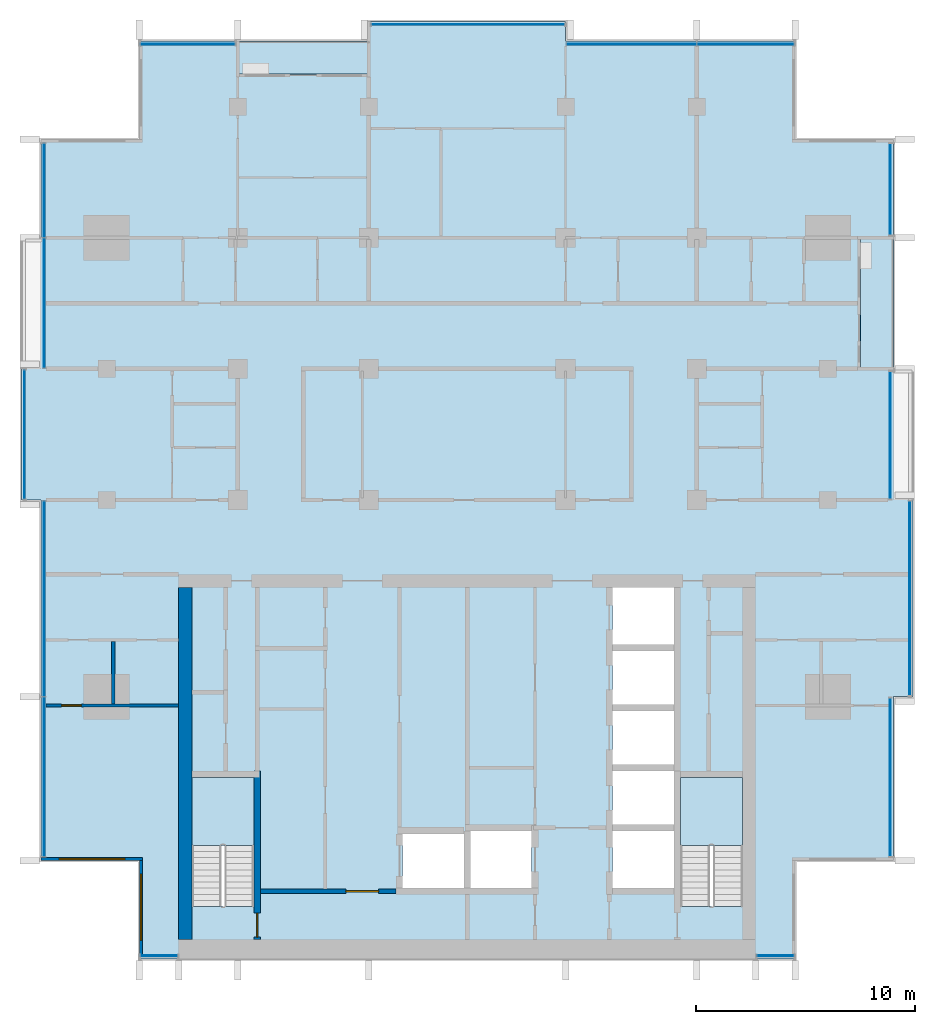
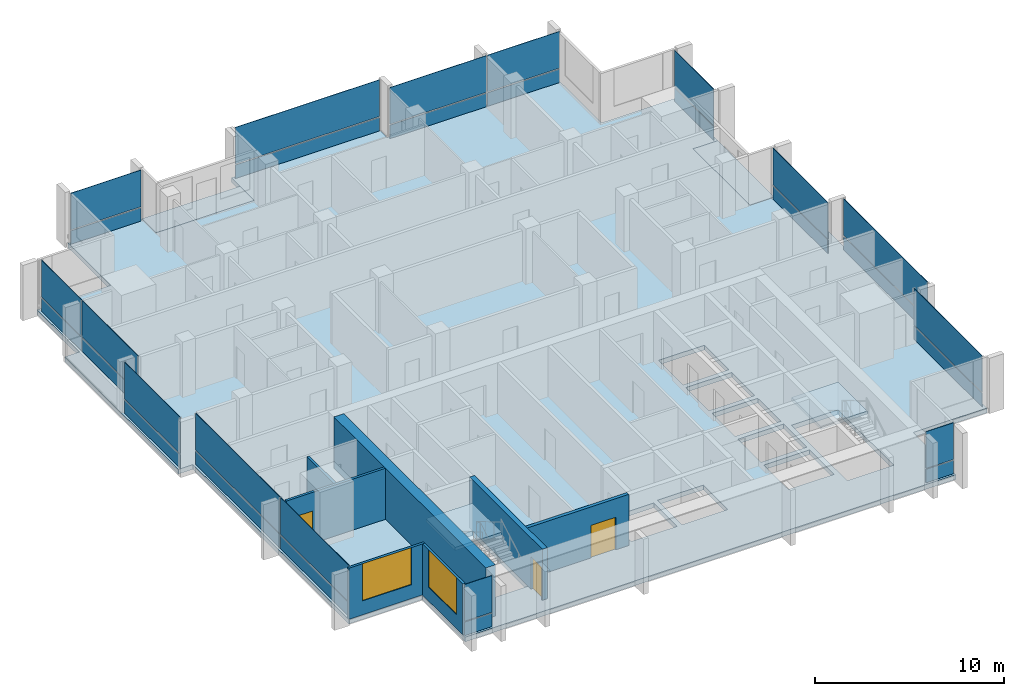
# One storey, part 6 of 16: 30 plates, 7 walls, 5 slabs, 3 doors, 2 windows, 5 openings, 14 elements without a shape of their own.
"""IFC4 building model written with IfcOpenShell, lengths in metres."""

from ifc_helpers import new_model, si_unit, direction, frame, frame_2d, origin, origin_2d, place, context, subcontext, project, spatial, polyline, rectangle, outline, extrude, material, layer, layer_set, type_object, element, fill, aggregate, save


model = new_model("IFC4")

# Units and contexts
model_context = context("Model", 3, precision=1e-05, world=origin(), true_north=direction((0.0, 1.0)))
body_context = subcontext(model_context, "Body", "Model", "MODEL_VIEW")
ifc_project = project(units=[si_unit("LENGTHUNIT", "METRE"), si_unit("AREAUNIT", "SQUARE_METRE"), si_unit("VOLUMEUNIT", "CUBIC_METRE"), si_unit("PLANEANGLEUNIT", "RADIAN"), si_unit("MASSUNIT", "GRAM", prefix="KILO")], contexts=[model_context])

# Site, building, storey
site_placement = place(None, origin())
site = spatial("IfcSite", under=ifc_project, at=site_placement, CompositionType="ELEMENT")
building_placement = place(site_placement, origin())
building = spatial("IfcBuilding", under=site, at=building_placement, Name="Finial Court Residences", CompositionType="ELEMENT")
storey_placement = place(building_placement, frame((0.0, 0.0, 237.5)))
storey = spatial("IfcBuildingStorey", under=building, at=storey_placement, Name="L60", CompositionType="ELEMENT", Elevation=237.5)

# Slabs
ifc_material_1 = material(Name="Concrete C35/45", Category="concrete")
ifc_layer_1 = layer(ifc_material_1, 0.199951171875)
ifc_layer_set_1 = layer_set([ifc_layer_1], Name="Balcony slab, Concrete C35/45 200")
slab_type_1 = type_object("IfcSlabType", Name="Balcony slab, Concrete C35/45 200", PredefinedType="FLOOR", material=ifc_layer_set_1)
slab_1_placement = place(storey_placement, frame((0.0, 0.0, -0.199951171875)))
element("IfcSlab", 1, at=slab_1_placement, inside=storey, type_object=slab_type_1, Name="Balcony L60-N2", PredefinedType="FLOOR", context=body_context, shape_type="SweptSolid", body=[
    extrude(outline(polyline([(-4.5, 15.0), (-4.5, 16.5), (-10.5, 16.5), (-10.5, 15.0), (-4.5, 15.0)])), origin(), (0.0, 0.0, 1.0), 0.199951171875),
])
slab_2_placement = place(storey_placement, frame((0.0, 0.0, -0.199951171875)))
element("IfcSlab", 2, at=slab_2_placement, inside=storey, type_object=slab_type_1, Name="Balcony L60-E4", PredefinedType="FLOOR", context=body_context, shape_type="SweptSolid", body=[
    extrude(outline(polyline([(19.5, 1.5), (19.5, 7.5), (18.0, 7.5), (18.0, 1.5), (19.5, 1.5)])), origin(), (0.0, 0.0, 1.0), 0.199951171875),
])

# Curtain wall, plate
ifc_material_2 = material(Name="Bronze anodised aluminium", Category="aluminium")
curtain_wall_type = type_object("IfcCurtainWallType", Name="Unitised curtain wall, upper zones", PredefinedType="NOTDEFINED", material=ifc_material_2)
curtain_wall_1_placement = place(storey_placement, origin())
curtain_wall_1 = element("IfcCurtainWall", 3, at=curtain_wall_1_placement, inside=storey, type_object=curtain_wall_type, Name="E-L60-CW-N1", PredefinedType="NOTDEFINED")
ifc_layer_2 = layer(ifc_material_2, 0.035888671875)
ifc_layer_set_2 = layer_set([ifc_layer_2], Name="CW2 spandrel panel 36")
plate_type_1 = type_object("IfcPlateType", Name="CW2 spandrel panel 36", PredefinedType="CURTAIN_PANEL", material=ifc_layer_set_2)
plate_1_placement = place(storey_placement, frame((-12.78759765625, 16.35009765625, 0.0), z_axis=(0.0, 0.0, 1.0), x_axis=(1.0, 0.0, 0.0)))
plate_1 = element("IfcPlate", 4, at=plate_1_placement, type_object=plate_type_1, Name="CW2 spandrel 1.1", PredefinedType="CURTAIN_PANEL", context=body_context, shape_type="SweptSolid", body=[
    extrude(rectangle(XDim=4.304931640625, YDim=0.035888671875, at=origin_2d()), origin(), (0.0, 0.0, 1.0), 0.8701171875),
])

curtain_wall_2_placement = place(storey_placement, origin())
curtain_wall_2 = element("IfcCurtainWall", 5, at=curtain_wall_2_placement, inside=storey, type_object=curtain_wall_type, Name="E-L60-CW-N2", PredefinedType="NOTDEFINED")
plate_2_placement = place(storey_placement, frame((0.03759765625, 17.25, 0.0), z_axis=(0.0, 0.0, 1.0), x_axis=(1.0, 0.0, 0.0)))
plate_2 = element("IfcPlate", 6, at=plate_2_placement, type_object=plate_type_1, Name="CW2 spandrel 1.1", PredefinedType="CURTAIN_PANEL", context=body_context, shape_type="SweptSolid", body=[
    extrude(rectangle(XDim=8.804931640625, YDim=0.035888671875, at=origin_2d()), origin(), (0.0, 0.0, 1.0), 0.8701171875),
])

# Curtain wall, plates
curtain_wall_3_placement = place(storey_placement, origin())
curtain_wall_3 = element("IfcCurtainWall", 7, at=curtain_wall_3_placement, inside=storey, type_object=curtain_wall_type, Name="E-L60-CW-N3", PredefinedType="NOTDEFINED")
plate_3_placement = place(storey_placement, frame((7.514892578125, 16.35009765625, 0.0), z_axis=(0.0, 0.0, 1.0), x_axis=(1.0, 0.0, 0.0)))
plate_3 = element("IfcPlate", 8, at=plate_3_placement, type_object=plate_type_1, Name="CW2 spandrel 1.1", PredefinedType="CURTAIN_PANEL", context=body_context, shape_type="SweptSolid", body=[
    extrude(rectangle(XDim=5.909912109375, YDim=0.035888671875, at=origin_2d()), origin(), (0.0, 0.0, 1.0), 0.8701171875),
])
plate_4_placement = place(storey_placement, frame((12.735107421875, 16.35009765625, 0.0), z_axis=(0.0, 0.0, 1.0), x_axis=(1.0, 0.0, 0.0)))
plate_4 = element("IfcPlate", 9, at=plate_4_placement, type_object=plate_type_1, Name="CW2 spandrel 2.1", PredefinedType="CURTAIN_PANEL", context=body_context, shape_type="SweptSolid", body=[
    extrude(rectangle(XDim=4.409912109375, YDim=0.035888671875, at=origin_2d()), origin(), (0.0, 0.0, 1.0), 0.8701171875),
])

# Curtain wall, plate
curtain_wall_4_placement = place(storey_placement, origin())
curtain_wall_4 = element("IfcCurtainWall", 10, at=curtain_wall_4_placement, inside=storey, type_object=curtain_wall_type, Name="E-L60-CW-E4", PredefinedType="NOTDEFINED")
plate_5_placement = place(storey_placement, frame((19.35009765625, -17.175048828125, 0.0), z_axis=(0.0, 0.0, 1.0), x_axis=(0.0, 1.0, 0.0)))
plate_5 = element("IfcPlate", 11, at=plate_5_placement, type_object=plate_type_1, Name="CW2 spandrel 1.1", PredefinedType="CURTAIN_PANEL", context=body_context, shape_type="SweptSolid", body=[
    extrude(rectangle(XDim=7.22998046875, YDim=0.035888671875, at=origin_2d()), origin(), (0.0, 0.0, 1.0), 0.8701171875),
])

curtain_wall_5_placement = place(storey_placement, origin())
curtain_wall_5 = element("IfcCurtainWall", 12, at=curtain_wall_5_placement, inside=storey, type_object=curtain_wall_type, Name="E-L60-CW-E5", PredefinedType="NOTDEFINED")
plate_6_placement = place(storey_placement, frame((20.25, -9.0, 0.0), z_axis=(0.0, 0.0, 1.0), x_axis=(0.0, 1.0, 0.0)))
plate_6 = element("IfcPlate", 13, at=plate_6_placement, type_object=plate_type_1, Name="CW2 spandrel 1.1", PredefinedType="CURTAIN_PANEL", context=body_context, shape_type="SweptSolid", body=[
    extrude(rectangle(XDim=8.8798828125, YDim=0.035888671875, at=origin_2d()), origin(), (0.0, 0.0, 1.0), 0.8701171875),
])

curtain_wall_6_placement = place(storey_placement, origin())
curtain_wall_6 = element("IfcCurtainWall", 14, at=curtain_wall_6_placement, inside=storey, type_object=curtain_wall_type, Name="E-L60-CW-E6", PredefinedType="NOTDEFINED")
plate_7_placement = place(storey_placement, frame((19.35009765625, -1.53759765625, 0.0), z_axis=(0.0, 0.0, 1.0), x_axis=(0.0, 1.0, 0.0)))
plate_7 = element("IfcPlate", 15, at=plate_7_placement, type_object=plate_type_1, Name="CW2 spandrel 1.1", PredefinedType="CURTAIN_PANEL", context=body_context, shape_type="SweptSolid", body=[
    extrude(rectangle(XDim=5.804931640625, YDim=0.035888671875, at=origin_2d()), origin(), (0.0, 0.0, 1.0), 0.8701171875),
])

curtain_wall_7_placement = place(storey_placement, origin())
curtain_wall_7 = element("IfcCurtainWall", 16, at=curtain_wall_7_placement, inside=storey, type_object=curtain_wall_type, Name="E-L60-CW-E7", PredefinedType="NOTDEFINED")
plate_8_placement = place(storey_placement, frame((19.35009765625, 9.71240234375, 0.0), z_axis=(0.0, 0.0, 1.0), x_axis=(0.0, 1.0, 0.0)))
plate_8 = element("IfcPlate", 17, at=plate_8_placement, type_object=plate_type_1, Name="CW2 spandrel 1.1", PredefinedType="CURTAIN_PANEL", context=body_context, shape_type="SweptSolid", body=[
    extrude(rectangle(XDim=4.155029296875, YDim=0.035888671875, at=origin_2d()), origin(), (0.0, 0.0, 1.0), 0.8701171875),
])

curtain_wall_8_placement = place(storey_placement, origin())
curtain_wall_8 = element("IfcCurtainWall", 18, at=curtain_wall_8_placement, inside=storey, type_object=curtain_wall_type, Name="E-L60-CW-S8", PredefinedType="NOTDEFINED")
plate_9_placement = place(storey_placement, frame((-14.10009765625, -25.35009765625, 0.0), z_axis=(0.0, 0.0, 1.0), x_axis=(1.0, 0.0, 0.0)))
plate_9 = element("IfcPlate", 19, at=plate_9_placement, type_object=plate_type_1, Name="CW2 spandrel 1.1", PredefinedType="CURTAIN_PANEL", context=body_context, shape_type="SweptSolid", body=[
    extrude(rectangle(XDim=1.679931640625, YDim=0.035888671875, at=origin_2d()), origin(), (0.0, 0.0, 1.0), 0.8701171875),
])

curtain_wall_9_placement = place(storey_placement, origin())
curtain_wall_9 = element("IfcCurtainWall", 20, at=curtain_wall_9_placement, inside=storey, type_object=curtain_wall_type, Name="E-L60-CW-S9", PredefinedType="NOTDEFINED")
plate_10_placement = place(storey_placement, frame((14.10009765625, -25.35009765625, 0.0), z_axis=(0.0, 0.0, 1.0), x_axis=(1.0, 0.0, 0.0)))
plate_10 = element("IfcPlate", 21, at=plate_10_placement, type_object=plate_type_1, Name="CW2 spandrel 1.1", PredefinedType="CURTAIN_PANEL", context=body_context, shape_type="SweptSolid", body=[
    extrude(rectangle(XDim=1.679931640625, YDim=0.035888671875, at=origin_2d()), origin(), (0.0, 0.0, 1.0), 0.8701171875),
])

# Curtain wall, plates
curtain_wall_10_placement = place(storey_placement, origin())
curtain_wall_10 = element("IfcCurtainWall", 22, at=curtain_wall_10_placement, inside=storey, type_object=curtain_wall_type, Name="E-L60-CW-W10", PredefinedType="NOTDEFINED")
plate_11_placement = place(storey_placement, frame((-19.35009765625, -17.159912109375, 0.0), z_axis=(0.0, 0.0, 1.0), x_axis=(0.0, 1.0, 0.0)))
plate_11 = element("IfcPlate", 23, at=plate_11_placement, type_object=plate_type_1, Name="CW2 spandrel 1.1", PredefinedType="CURTAIN_PANEL", context=body_context, shape_type="SweptSolid", body=[
    extrude(rectangle(XDim=7.260009765625, YDim=0.035888671875, at=origin_2d()), origin(), (0.0, 0.0, 1.0), 0.8701171875),
])
plate_12_placement = place(storey_placement, frame((-19.35009765625, -9.014892578125, 0.0), z_axis=(0.0, 0.0, 1.0), x_axis=(0.0, 1.0, 0.0)))
plate_12 = element("IfcPlate", 24, at=plate_12_placement, type_object=plate_type_1, Name="CW2 spandrel 2.1", PredefinedType="CURTAIN_PANEL", context=body_context, shape_type="SweptSolid", body=[
    extrude(rectangle(XDim=8.909912109375, YDim=0.035888671875, at=origin_2d()), origin(), (0.0, 0.0, 1.0), 0.8701171875),
])

# Curtain wall, plate
curtain_wall_11_placement = place(storey_placement, origin())
curtain_wall_11 = element("IfcCurtainWall", 25, at=curtain_wall_11_placement, inside=storey, type_object=curtain_wall_type, Name="E-L60-CW-W11", PredefinedType="NOTDEFINED")
plate_13_placement = place(storey_placement, frame((-20.25, -1.5, 0.0), z_axis=(0.0, 0.0, 1.0), x_axis=(0.0, 1.0, 0.0)))
plate_13 = element("IfcPlate", 26, at=plate_13_placement, type_object=plate_type_1, Name="CW2 spandrel 1.1", PredefinedType="CURTAIN_PANEL", context=body_context, shape_type="SweptSolid", body=[
    extrude(rectangle(XDim=5.8798828125, YDim=0.035888671875, at=origin_2d()), origin(), (0.0, 0.0, 1.0), 0.8701171875),
])

# Curtain wall, plates
curtain_wall_12_placement = place(storey_placement, origin())
curtain_wall_12 = element("IfcCurtainWall", 27, at=curtain_wall_12_placement, inside=storey, type_object=curtain_wall_type, Name="E-L60-CW-W12", PredefinedType="NOTDEFINED")
plate_14_placement = place(storey_placement, frame((-19.35009765625, 4.514892578125, 0.0), z_axis=(0.0, 0.0, 1.0), x_axis=(0.0, 1.0, 0.0)))
plate_14 = element("IfcPlate", 28, at=plate_14_placement, type_object=plate_type_1, Name="CW2 spandrel 1.1", PredefinedType="CURTAIN_PANEL", context=body_context, shape_type="SweptSolid", body=[
    extrude(rectangle(XDim=5.909912109375, YDim=0.035888671875, at=origin_2d()), origin(), (0.0, 0.0, 1.0), 0.8701171875),
])
plate_15_placement = place(storey_placement, frame((-19.35009765625, 9.659912109375, 0.0), z_axis=(0.0, 0.0, 1.0), x_axis=(0.0, 1.0, 0.0)))
plate_15 = element("IfcPlate", 29, at=plate_15_placement, type_object=plate_type_1, Name="CW2 spandrel 2.1", PredefinedType="CURTAIN_PANEL", context=body_context, shape_type="SweptSolid", body=[
    extrude(rectangle(XDim=4.260009765625, YDim=0.035888671875, at=origin_2d()), origin(), (0.0, 0.0, 1.0), 0.8701171875),
])

# Plate
ifc_material_3 = material(Name="Clear low-e glass", Category="glass")
ifc_layer_3 = layer(ifc_material_3, 0.030029296875)
ifc_layer_set_3 = layer_set([ifc_layer_3], Name="CW2 vision glass 30")
plate_type_2 = type_object("IfcPlateType", Name="CW2 vision glass 30", PredefinedType="CURTAIN_PANEL", material=ifc_layer_set_3)
plate_16_placement = place(storey_placement, frame((-12.78759765625, 16.35009765625, 0.929931640625), z_axis=(0.0, 0.0, 1.0), x_axis=(1.0, 0.0, 0.0)))
plate_16 = element("IfcPlate", 30, at=plate_16_placement, type_object=plate_type_2, Name="CW2 glass 1.2", PredefinedType="CURTAIN_PANEL", context=body_context, shape_type="SweptSolid", body=[
    extrude(rectangle(XDim=4.304931640625, YDim=0.030029296875, at=origin_2d()), origin(), (0.0, 0.0, 1.0), 2.3701171875),
])

aggregate(curtain_wall_1, [plate_1, plate_16])

plate_17_placement = place(storey_placement, frame((0.03759765625, 17.25, 0.929931640625), z_axis=(0.0, 0.0, 1.0), x_axis=(1.0, 0.0, 0.0)))
plate_17 = element("IfcPlate", 31, at=plate_17_placement, type_object=plate_type_2, Name="CW2 glass 1.2", PredefinedType="CURTAIN_PANEL", context=body_context, shape_type="SweptSolid", body=[
    extrude(rectangle(XDim=8.804931640625, YDim=0.030029296875, at=origin_2d()), origin(), (0.0, 0.0, 1.0), 2.3701171875),
])

aggregate(curtain_wall_2, [plate_2, plate_17])

plate_18_placement = place(storey_placement, frame((7.514892578125, 16.35009765625, 0.929931640625), z_axis=(0.0, 0.0, 1.0), x_axis=(1.0, 0.0, 0.0)))
plate_18 = element("IfcPlate", 32, at=plate_18_placement, type_object=plate_type_2, Name="CW2 glass 1.2", PredefinedType="CURTAIN_PANEL", context=body_context, shape_type="SweptSolid", body=[
    extrude(rectangle(XDim=5.909912109375, YDim=0.030029296875, at=origin_2d()), origin(), (0.0, 0.0, 1.0), 2.3701171875),
])

plate_19_placement = place(storey_placement, frame((12.735107421875, 16.35009765625, 0.929931640625), z_axis=(0.0, 0.0, 1.0), x_axis=(1.0, 0.0, 0.0)))
plate_19 = element("IfcPlate", 33, at=plate_19_placement, type_object=plate_type_2, Name="CW2 glass 2.2", PredefinedType="CURTAIN_PANEL", context=body_context, shape_type="SweptSolid", body=[
    extrude(rectangle(XDim=4.409912109375, YDim=0.030029296875, at=origin_2d()), origin(), (0.0, 0.0, 1.0), 2.3701171875),
])

aggregate(curtain_wall_3, [plate_3, plate_18, plate_4, plate_19])

plate_20_placement = place(storey_placement, frame((19.35009765625, -17.175048828125, 0.929931640625), z_axis=(0.0, 0.0, 1.0), x_axis=(0.0, 1.0, 0.0)))
plate_20 = element("IfcPlate", 34, at=plate_20_placement, type_object=plate_type_2, Name="CW2 glass 1.2", PredefinedType="CURTAIN_PANEL", context=body_context, shape_type="SweptSolid", body=[
    extrude(rectangle(XDim=7.22998046875, YDim=0.030029296875, at=origin_2d()), origin(), (0.0, 0.0, 1.0), 2.3701171875),
])

aggregate(curtain_wall_4, [plate_5, plate_20])

plate_21_placement = place(storey_placement, frame((20.25, -9.0, 0.929931640625), z_axis=(0.0, 0.0, 1.0), x_axis=(0.0, 1.0, 0.0)))
plate_21 = element("IfcPlate", 35, at=plate_21_placement, type_object=plate_type_2, Name="CW2 glass 1.2", PredefinedType="CURTAIN_PANEL", context=body_context, shape_type="SweptSolid", body=[
    extrude(rectangle(XDim=8.8798828125, YDim=0.030029296875, at=origin_2d()), origin(), (0.0, 0.0, 1.0), 2.3701171875),
])

aggregate(curtain_wall_5, [plate_6, plate_21])

plate_22_placement = place(storey_placement, frame((19.35009765625, -1.53759765625, 0.929931640625), z_axis=(0.0, 0.0, 1.0), x_axis=(0.0, 1.0, 0.0)))
plate_22 = element("IfcPlate", 36, at=plate_22_placement, type_object=plate_type_2, Name="CW2 glass 1.2", PredefinedType="CURTAIN_PANEL", context=body_context, shape_type="SweptSolid", body=[
    extrude(rectangle(XDim=5.804931640625, YDim=0.030029296875, at=origin_2d()), origin(), (0.0, 0.0, 1.0), 2.3701171875),
])

aggregate(curtain_wall_6, [plate_7, plate_22])

plate_23_placement = place(storey_placement, frame((19.35009765625, 9.71240234375, 0.929931640625), z_axis=(0.0, 0.0, 1.0), x_axis=(0.0, 1.0, 0.0)))
plate_23 = element("IfcPlate", 37, at=plate_23_placement, type_object=plate_type_2, Name="CW2 glass 1.2", PredefinedType="CURTAIN_PANEL", context=body_context, shape_type="SweptSolid", body=[
    extrude(rectangle(XDim=4.155029296875, YDim=0.030029296875, at=origin_2d()), origin(), (0.0, 0.0, 1.0), 2.3701171875),
])

aggregate(curtain_wall_7, [plate_8, plate_23])

plate_24_placement = place(storey_placement, frame((-14.10009765625, -25.35009765625, 0.929931640625), z_axis=(0.0, 0.0, 1.0), x_axis=(1.0, 0.0, 0.0)))
plate_24 = element("IfcPlate", 38, at=plate_24_placement, type_object=plate_type_2, Name="CW2 glass 1.2", PredefinedType="CURTAIN_PANEL", context=body_context, shape_type="SweptSolid", body=[
    extrude(rectangle(XDim=1.679931640625, YDim=0.030029296875, at=origin_2d()), origin(), (0.0, 0.0, 1.0), 2.3701171875),
])

aggregate(curtain_wall_8, [plate_9, plate_24])

plate_25_placement = place(storey_placement, frame((14.10009765625, -25.35009765625, 0.929931640625), z_axis=(0.0, 0.0, 1.0), x_axis=(1.0, 0.0, 0.0)))
plate_25 = element("IfcPlate", 39, at=plate_25_placement, type_object=plate_type_2, Name="CW2 glass 1.2", PredefinedType="CURTAIN_PANEL", context=body_context, shape_type="SweptSolid", body=[
    extrude(rectangle(XDim=1.679931640625, YDim=0.030029296875, at=origin_2d()), origin(), (0.0, 0.0, 1.0), 2.3701171875),
])

aggregate(curtain_wall_9, [plate_10, plate_25])

plate_26_placement = place(storey_placement, frame((-19.35009765625, -17.159912109375, 0.929931640625), z_axis=(0.0, 0.0, 1.0), x_axis=(0.0, 1.0, 0.0)))
plate_26 = element("IfcPlate", 40, at=plate_26_placement, type_object=plate_type_2, Name="CW2 glass 1.2", PredefinedType="CURTAIN_PANEL", context=body_context, shape_type="SweptSolid", body=[
    extrude(rectangle(XDim=7.260009765625, YDim=0.030029296875, at=origin_2d()), origin(), (0.0, 0.0, 1.0), 2.3701171875),
])

plate_27_placement = place(storey_placement, frame((-19.35009765625, -9.014892578125, 0.929931640625), z_axis=(0.0, 0.0, 1.0), x_axis=(0.0, 1.0, 0.0)))
plate_27 = element("IfcPlate", 41, at=plate_27_placement, type_object=plate_type_2, Name="CW2 glass 2.2", PredefinedType="CURTAIN_PANEL", context=body_context, shape_type="SweptSolid", body=[
    extrude(rectangle(XDim=8.909912109375, YDim=0.030029296875, at=origin_2d()), origin(), (0.0, 0.0, 1.0), 2.3701171875),
])

aggregate(curtain_wall_10, [plate_11, plate_26, plate_12, plate_27])

plate_28_placement = place(storey_placement, frame((-20.25, -1.5, 0.929931640625), z_axis=(0.0, 0.0, 1.0), x_axis=(0.0, 1.0, 0.0)))
plate_28 = element("IfcPlate", 42, at=plate_28_placement, type_object=plate_type_2, Name="CW2 glass 1.2", PredefinedType="CURTAIN_PANEL", context=body_context, shape_type="SweptSolid", body=[
    extrude(rectangle(XDim=5.8798828125, YDim=0.030029296875, at=origin_2d()), origin(), (0.0, 0.0, 1.0), 2.3701171875),
])

aggregate(curtain_wall_11, [plate_13, plate_28])

plate_29_placement = place(storey_placement, frame((-19.35009765625, 4.514892578125, 0.929931640625), z_axis=(0.0, 0.0, 1.0), x_axis=(0.0, 1.0, 0.0)))
plate_29 = element("IfcPlate", 43, at=plate_29_placement, type_object=plate_type_2, Name="CW2 glass 1.2", PredefinedType="CURTAIN_PANEL", context=body_context, shape_type="SweptSolid", body=[
    extrude(rectangle(XDim=5.909912109375, YDim=0.030029296875, at=origin_2d()), origin(), (0.0, 0.0, 1.0), 2.3701171875),
])

plate_30_placement = place(storey_placement, frame((-19.35009765625, 9.659912109375, 0.929931640625), z_axis=(0.0, 0.0, 1.0), x_axis=(0.0, 1.0, 0.0)))
plate_30 = element("IfcPlate", 44, at=plate_30_placement, type_object=plate_type_2, Name="CW2 glass 2.2", PredefinedType="CURTAIN_PANEL", context=body_context, shape_type="SweptSolid", body=[
    extrude(rectangle(XDim=4.260009765625, YDim=0.030029296875, at=origin_2d()), origin(), (0.0, 0.0, 1.0), 2.3701171875),
])

aggregate(curtain_wall_12, [plate_14, plate_29, plate_15, plate_30])

# Stair, slab
ifc_material_4 = material(Name="Concrete C50/60", Category="concrete")
stair_type = type_object("IfcStairType", Name="Exit stair 22 risers of 163.6 mm", PredefinedType="HALF_TURN_STAIR", material=ifc_material_4)
stair_1_placement = place(storey_placement, origin())
stair_1 = element("IfcStair", 45, at=stair_1_placement, inside=storey, type_object=stair_type, Name="L60 Exit stair ST-1", PredefinedType="HALF_TURN_STAIR")
ifc_layer_4 = layer(ifc_material_4, 0.199951171875)
ifc_layer_set_4 = layer_set([ifc_layer_4], Name="Exit stair landing")
slab_type_2 = type_object("IfcSlabType", Name="Exit stair landing", PredefinedType="LANDING", material=ifc_layer_set_4)
slab_3_placement = place(storey_placement, frame((0.0, 0.0, 1.60009765625)))
slab_3 = element("IfcSlab", 46, at=slab_3_placement, type_object=slab_type_2, Name="ST-1 landing 1", PredefinedType="LANDING", context=body_context, shape_type="SweptSolid", body=[
    extrude(outline(polyline([(-9.75, -20.300048828125), (-9.75, -17.199951171875), (-12.60009765625, -17.199951171875), (-12.60009765625, -20.300048828125), (-9.75, -20.300048828125)])), origin(), (0.0, 0.0, 1.0), 0.199951171875),
])
aggregate(stair_1, [slab_3])

stair_2_placement = place(storey_placement, origin())
stair_2 = element("IfcStair", 47, at=stair_2_placement, inside=storey, type_object=stair_type, Name="L60 Exit stair ST-2", PredefinedType="HALF_TURN_STAIR")
slab_4_placement = place(storey_placement, frame((0.0, 0.0, 1.60009765625)))
slab_4 = element("IfcSlab", 48, at=slab_4_placement, type_object=slab_type_2, Name="ST-2 landing 1", PredefinedType="LANDING", context=body_context, shape_type="SweptSolid", body=[
    extrude(outline(polyline([(12.60009765625, -20.300048828125), (12.60009765625, -17.199951171875), (9.75, -17.199951171875), (9.75, -20.300048828125), (12.60009765625, -20.300048828125)])), origin(), (0.0, 0.0, 1.0), 0.199951171875),
])
aggregate(stair_2, [slab_4])

# Slab
ifc_material_5 = material(Name="Concrete C40/50", Category="concrete")
ifc_layer_5 = layer(ifc_material_5, 0.300048828125)
ifc_layer_set_5 = layer_set([ifc_layer_5], Name="Flat plate slab 300 Concrete C40/50")
slab_type_3 = type_object("IfcSlabType", Name="Flat plate slab 300 Concrete C40/50", PredefinedType="FLOOR", material=ifc_layer_set_5)
slab_5_placement = place(storey_placement, frame((0.0, 0.0, -0.300048828125)))
element("IfcSlab", 49, at=slab_5_placement, inside=storey, type_object=slab_type_3, Name="S:SLAB:L60", PredefinedType="FLOOR", context=body_context, shape_type="SweptSolid", body=[
    extrude(outline(polyline([(15.0, -25.5), (-15.0, -25.5), (-15.0, -21.0), (-19.5, -21.0), (-19.5, -4.5), (-20.39990234375, -4.5), (-20.39990234375, 1.5), (-20.39990234375, 7.5), (-19.5, 7.5), (-19.5, 12.0), (-15.0, 12.0), (-15.0, 16.5), (-10.5, 16.5), (-10.5, 15.0), (-4.5, 15.0), (-4.5, 16.5), (-4.5, 17.39990234375), (4.5, 17.39990234375), (4.5, 16.5), (15.0, 16.5), (15.0, 12.0), (19.5, 12.0), (19.5, 7.5), (18.0, 7.5), (18.0, 1.5), (19.5, 1.5), (20.39990234375, 1.5), (20.39990234375, -4.5), (20.39990234375, -13.5), (19.5, -13.5), (19.5, -21.0), (15.0, -21.0), (15.0, -25.5)]), holes=[polyline([(-0.14990234375, -19.77001953125), (-2.949951171875, -19.77001953125), (-2.949951171875, -22.25), (-0.14990234375, -22.25), (-0.14990234375, -19.77001953125)]), polyline([(2.949951171875, -19.64990234375), (0.14990234375, -19.64990234375), (0.14990234375, -22.25), (2.949951171875, -22.25), (2.949951171875, -19.64990234375)]), polyline([(9.449951171875, -19.64990234375), (6.64990234375, -19.64990234375), (6.64990234375, -22.25), (9.449951171875, -22.25), (9.449951171875, -19.64990234375)]), polyline([(-12.60009765625, -17.199951171875), (-12.60009765625, -23.09912109375), (-9.75, -23.09912109375), (-9.75, -17.199951171875), (-12.60009765625, -17.199951171875)]), polyline([(9.75, -17.199951171875), (9.75, -23.09912109375), (12.60009765625, -23.09912109375), (12.60009765625, -17.199951171875), (9.75, -17.199951171875)]), polyline([(9.449951171875, -16.89990234375), (6.64990234375, -16.89990234375), (6.64990234375, -19.35009765625), (9.449951171875, -19.35009765625), (9.449951171875, -16.89990234375)]), polyline([(9.449951171875, -14.14990234375), (6.64990234375, -14.14990234375), (6.64990234375, -16.60009765625), (9.449951171875, -16.60009765625), (9.449951171875, -14.14990234375)]), polyline([(9.449951171875, -13.85009765625), (9.449951171875, -11.39990234375), (6.64990234375, -11.39990234375), (6.64990234375, -13.85009765625), (9.449951171875, -13.85009765625)]), polyline([(9.449951171875, -11.10009765625), (9.449951171875, -8.5), (6.64990234375, -8.5), (6.64990234375, -11.10009765625), (9.449951171875, -11.10009765625)])]), origin(), (0.0, 0.0, 1.0), 0.300048828125),
])

# Wall
ifc_material_6 = material(Name="Concrete C60/75", Category="concrete")
ifc_layer_6 = layer(ifc_material_6, 0.60009765625)
ifc_layer_set_6 = layer_set([ifc_layer_6], Name="Core outer wall 600 Concrete C60/75")
wall_type_1 = type_object("IfcWallType", Name="Core outer wall 600 Concrete C60/75", PredefinedType="SHEAR", material=ifc_layer_set_6)
wall_1_placement = place(storey_placement, frame((-12.89990234375, -24.60009765625, 0.0), z_axis=(0.0, 0.0, 1.0), x_axis=(0.0, 1.0, 0.0)))
element("IfcWall", 50, at=wall_1_placement, inside=storey, type_object=wall_type_1, Name="Core outer wall L60-03", PredefinedType="SHEAR", context=body_context, shape_type="SweptSolid", body=[
    extrude(rectangle(XDim=16.10009765625, YDim=0.60009765625, at=frame_2d((8.050048828125, 0.0))), origin(), (0.0, 0.0, 1.0), 3.300048828125),
])

# Wall, opening, door
ifc_material_7 = material(Name="Moisture-resistant gypsum board")
ifc_layer_7 = layer(ifc_material_7, 0.012451171875)
ifc_material_8 = material(Name="Mineral wool in light-gauge frame")
ifc_layer_8 = layer(ifc_material_8, 0.125)
ifc_layer_9 = layer(ifc_material_7, 0.012451171875)
ifc_layer_set_7 = layer_set([ifc_layer_7, ifc_layer_8, ifc_layer_9], Name="Gypsum board wet-area partition 150")
wall_type_2 = type_object("IfcWallType", Name="Gypsum board wet-area partition 150", PredefinedType="PARTITIONING", material=ifc_layer_set_7)
wall_2_placement = place(storey_placement, frame((-19.262451171875, -13.89990234375, 0.0), z_axis=(0.0, 0.0, 1.0), x_axis=(1.0, 0.0, 0.0)))
wall_2 = element("IfcWall", 51, at=wall_2_placement, inside=storey, type_object=wall_type_2, Name="Partition L60-000", PredefinedType="PARTITIONING", context=body_context, shape_type="SweptSolid", body=[
    extrude(rectangle(XDim=6.0625, YDim=0.14990234375, at=frame_2d((3.03125, 0.0))), origin(), (0.0, 0.0, 1.0), 3.300048828125),
])
opening_1_placement = place(wall_2_placement, frame((0.7119140625, 0.0, 0.0)))
opening_1 = element("IfcOpeningElement", 52, at=opening_1_placement, cuts=wall_2, Name="Opening L60-D001", PredefinedType="OPENING", context=body_context, shape_type="SweptSolid", body=[
    extrude(rectangle(XDim=0.89990234375, YDim=2.10009765625, at=frame_2d((0.449951171875, 1.050048828125))), frame((0.0, 0.0849609375, 0.0), z_axis=(0.0, -1.0, 0.0), x_axis=(1.0, 0.0, 0.0)), (0.0, 0.0, 1.0), 0.169921875),
])
ifc_material_9 = material(Name="Timber door leaf in timber frame", Category="wood")
door_type_1 = type_object("IfcDoorType", Name="Door set 900 x 2100", OperationType="SINGLE_SWING_LEFT", PredefinedType="DOOR", material=ifc_material_9)
door_1_placement = place(opening_1_placement, origin())
door_1 = element("IfcDoor", 53, at=door_1_placement, inside=storey, type_object=door_type_1, Name="Door L60-D001", OperationType="SINGLE_SWING_LEFT", OverallHeight=2.10009765625, OverallWidth=0.89990234375, PredefinedType="DOOR", context=body_context, shape_type="SweptSolid", body=[
    extrude(rectangle(XDim=0.89990234375, YDim=2.10009765625, at=frame_2d((0.449951171875, 1.050048828125))), frame((0.0, 0.02490234375, 0.0), z_axis=(0.0, -1.0, 0.0), x_axis=(1.0, 0.0, 0.0)), (0.0, 0.0, 1.0), 0.050048828125),
])
fill(opening_1, door_1)

# Wall
wall_3_placement = place(storey_placement, frame((-16.199951171875, -13.824951171875, 0.0), z_axis=(0.0, 0.0, 1.0), x_axis=(0.0, 1.0, 0.0)))
element("IfcWall", 54, at=wall_3_placement, inside=storey, type_object=wall_type_2, Name="Partition L60-029", PredefinedType="PARTITIONING", context=body_context, shape_type="SweptSolid", body=[
    extrude(rectangle(XDim=2.849853515625, YDim=0.14990234375, at=frame_2d((1.4248046875, 0.0))), origin(), (0.0, 0.0, 1.0), 3.300048828125),
])

# Wall, opening, door
ifc_layer_10 = layer(ifc_material_6, 0.300048828125)
ifc_layer_set_8 = layer_set([ifc_layer_10], Name="Lift shaft and stair wall 300 Concrete C60/75")
wall_type_3 = type_object("IfcWallType", Name="Lift shaft and stair wall 300 Concrete C60/75", PredefinedType="SHEAR", material=ifc_layer_set_8)
wall_4_placement = place(storey_placement, frame((-9.60009765625, -24.60009765625, 0.0), z_axis=(0.0, 0.0, 1.0), x_axis=(0.0, 1.0, 0.0)))
wall_4 = element("IfcWall", 55, at=wall_4_placement, inside=storey, type_object=wall_type_3, Name="Core wall L60-20", PredefinedType="SHEAR", context=body_context, shape_type="SweptSolid", body=[
    extrude(rectangle(XDim=7.7001953125, YDim=0.300048828125, at=frame_2d((3.85009765625, 0.0))), origin(), (0.0, 0.0, 1.0), 3.300048828125),
])
opening_2_placement = place(wall_4_placement, frame((0.10009765625, 0.0, 0.0)))
opening_2 = element("IfcOpeningElement", 56, at=opening_2_placement, cuts=wall_4, Name="Opening L60-C19", PredefinedType="OPENING", context=body_context, shape_type="SweptSolid", body=[
    extrude(rectangle(XDim=1.10009765625, YDim=2.10009765625, at=frame_2d((0.550048828125, 1.050048828125))), frame((0.0, 0.159912109375, 0.0), z_axis=(0.0, -1.0, 0.0), x_axis=(1.0, 0.0, 0.0)), (0.0, 0.0, 1.0), 0.320068359375),
])
ifc_material_10 = material(Name="Steel fire door", Category="steel")
door_type_2 = type_object("IfcDoorType", Name="Stair door 1100 x 2100 EI 90", OperationType="NOTDEFINED", PredefinedType="DOOR", material=ifc_material_10)
door_2_placement = place(opening_2_placement, origin())
door_2 = element("IfcDoor", 57, at=door_2_placement, inside=storey, type_object=door_type_2, Name="Stair door L60-C19", OperationType="SINGLE_SWING_LEFT", OverallHeight=2.10009765625, OverallWidth=1.10009765625, PredefinedType="DOOR", context=body_context, shape_type="SweptSolid", body=[
    extrude(rectangle(XDim=1.10009765625, YDim=2.10009765625, at=frame_2d((0.550048828125, 1.050048828125))), frame((0.0, 0.02490234375, 0.0), z_axis=(0.0, -1.0, 0.0), x_axis=(1.0, 0.0, 0.0)), (0.0, 0.0, 1.0), 0.050048828125),
])
fill(opening_2, door_2)

# Wall, opening, window
ifc_material_11 = material(Name="Natural limestone", Category="masonry")
ifc_layer_11 = layer(ifc_material_11, 0.14990234375)
ifc_layer_set_9 = layer_set([ifc_layer_11], Name="Limestone clad wall 150")
wall_type_4 = type_object("IfcWallType", Name="Limestone clad wall 150", PredefinedType="SOLIDWALL", material=ifc_layer_set_9)
wall_5_placement = place(storey_placement, frame((-14.925048828125, -25.262451171875, 0.0), z_axis=(0.0, 0.0, 1.0), x_axis=(0.0, 1.0, 0.0)))
wall_5 = element("IfcWall", 58, at=wall_5_placement, inside=storey, type_object=wall_type_4, Name="E-L60-NWW13", PredefinedType="SOLIDWALL", context=body_context, shape_type="SweptSolid", body=[
    extrude(rectangle(XDim=4.262451171875, YDim=0.14990234375, at=frame_2d((2.13134765625, 0.0))), origin(), (0.0, 0.0, 1.0), 3.300048828125),
])
opening_3_placement = place(wall_5_placement, frame((0.631103515625, 0.0, 0.89990234375)))
opening_3 = element("IfcOpeningElement", 59, at=opening_3_placement, cuts=wall_5, Name="Opening WE60-01", PredefinedType="OPENING", context=body_context, shape_type="SweptSolid", body=[
    extrude(rectangle(XDim=3.0, YDim=2.39990234375, at=frame_2d((1.5, 1.199951171875))), frame((0.0, 0.0849609375, 0.0), z_axis=(0.0, -1.0, 0.0), x_axis=(1.0, 0.0, 0.0)), (0.0, 0.0, 1.0), 0.169921875),
])
window_type = type_object("IfcWindowType", Name="Corner window 3000 x 2400", PartitioningType="SINGLE_PANEL", PredefinedType="WINDOW", material=ifc_material_3)
window_1_placement = place(opening_3_placement, origin())
window_1 = element("IfcWindow", 60, at=window_1_placement, inside=storey, type_object=window_type, Name="E-L60-NWW13-W1", OverallHeight=2.39990234375, OverallWidth=3.0, PartitioningType="SINGLE_PANEL", PredefinedType="WINDOW", context=body_context, shape_type="SweptSolid", body=[
    extrude(rectangle(XDim=3.0, YDim=2.39990234375, at=frame_2d((1.5, 1.199951171875))), frame((0.0, 0.030029296875, 0.0), z_axis=(0.0, -1.0, 0.0), x_axis=(1.0, 0.0, 0.0)), (0.0, 0.0, 1.0), 0.06005859375),
])
fill(opening_3, window_1)

wall_6_placement = place(storey_placement, frame((-14.85009765625, -20.925048828125, 0.0), z_axis=(0.0, 0.0, 1.0), x_axis=(-1.0, 0.0, 0.0)))
wall_6 = element("IfcWall", 61, at=wall_6_placement, inside=storey, type_object=wall_type_4, Name="E-L60-NWS14", PredefinedType="SOLIDWALL", context=body_context, shape_type="SweptSolid", body=[
    extrude(rectangle(XDim=4.64990234375, YDim=0.14990234375, at=frame_2d((2.324951171875, 0.0))), origin(), (0.0, 0.0, 1.0), 3.300048828125),
])
opening_4_placement = place(wall_6_placement, frame((0.824951171875, 0.0, 0.89990234375)))
opening_4 = element("IfcOpeningElement", 62, at=opening_4_placement, cuts=wall_6, Name="Opening WE60-02", PredefinedType="OPENING", context=body_context, shape_type="SweptSolid", body=[
    extrude(rectangle(XDim=3.0, YDim=2.39990234375, at=frame_2d((1.5, 1.199951171875))), frame((0.0, 0.0849609375, 0.0), z_axis=(0.0, -1.0, 0.0), x_axis=(1.0, 0.0, 0.0)), (0.0, 0.0, 1.0), 0.169921875),
])
window_2_placement = place(opening_4_placement, origin())
window_2 = element("IfcWindow", 63, at=window_2_placement, inside=storey, type_object=window_type, Name="E-L60-NWS14-W1", OverallHeight=2.39990234375, OverallWidth=3.0, PartitioningType="SINGLE_PANEL", PredefinedType="WINDOW", context=body_context, shape_type="SweptSolid", body=[
    extrude(rectangle(XDim=3.0, YDim=2.39990234375, at=frame_2d((1.5, 1.199951171875))), frame((0.0, 0.030029296875, 0.0), z_axis=(0.0, -1.0, 0.0), x_axis=(1.0, 0.0, 0.0)), (0.0, 0.0, 1.0), 0.06005859375),
])
fill(opening_4, window_2)

# Wall, opening, door
ifc_material_12 = material(Name="Fire-rated gypsum board partition")
ifc_layer_12 = layer(ifc_material_12, 0.199951171875)
ifc_layer_set_10 = layer_set([ifc_layer_12], Name="Stair passage wall 200 EI 180")
wall_type_5 = type_object("IfcWallType", Name="Stair passage wall 200 EI 180", PredefinedType="PARTITIONING", material=ifc_layer_set_10)
wall_7_placement = place(storey_placement, frame((-3.25, -22.39990234375, 0.0), z_axis=(0.0, 0.0, 1.0), x_axis=(-1.0, 0.0, 0.0)))
wall_7 = element("IfcWall", 64, at=wall_7_placement, inside=storey, type_object=wall_type_5, Name="Core partition L60-01", PredefinedType="PARTITIONING", context=body_context, shape_type="SweptSolid", body=[
    extrude(rectangle(XDim=6.199951171875, YDim=0.199951171875, at=frame_2d((3.10009765625, 0.0))), origin(), (0.0, 0.0, 1.0), 3.300048828125),
])
opening_5_placement = place(wall_7_placement, frame((0.800048828125, 0.0, 0.0)))
opening_5 = element("IfcOpeningElement", 65, at=opening_5_placement, cuts=wall_7, Name="Opening L60-C03", PredefinedType="OPENING", context=body_context, shape_type="SweptSolid", body=[
    extrude(rectangle(XDim=1.5, YDim=2.10009765625, at=frame_2d((0.75, 1.050048828125))), frame((0.0, 0.10986328125, 0.0), z_axis=(0.0, -1.0, 0.0), x_axis=(1.0, 0.0, 0.0)), (0.0, 0.0, 1.0), 0.219970703125),
])
door_type_3 = type_object("IfcDoorType", Name="Lift lobby door 1500 x 2100 EI 60", OperationType="DOUBLE_DOOR_SINGLE_SWING", PredefinedType="DOOR", material=ifc_material_10)
door_3_placement = place(opening_5_placement, origin())
door_3 = element("IfcDoor", 66, at=door_3_placement, inside=storey, type_object=door_type_3, Name="Lift lobby door L60-C03", OperationType="DOUBLE_DOOR_SINGLE_SWING", OverallHeight=2.10009765625, OverallWidth=1.5, PredefinedType="DOOR", context=body_context, shape_type="SweptSolid", body=[
    extrude(rectangle(XDim=1.5, YDim=2.10009765625, at=frame_2d((0.75, 1.050048828125))), frame((0.0, 0.02490234375, 0.0), z_axis=(0.0, -1.0, 0.0), x_axis=(1.0, 0.0, 0.0)), (0.0, 0.0, 1.0), 0.050048828125),
])
fill(opening_5, door_3)

save(model, "model.ifc")
